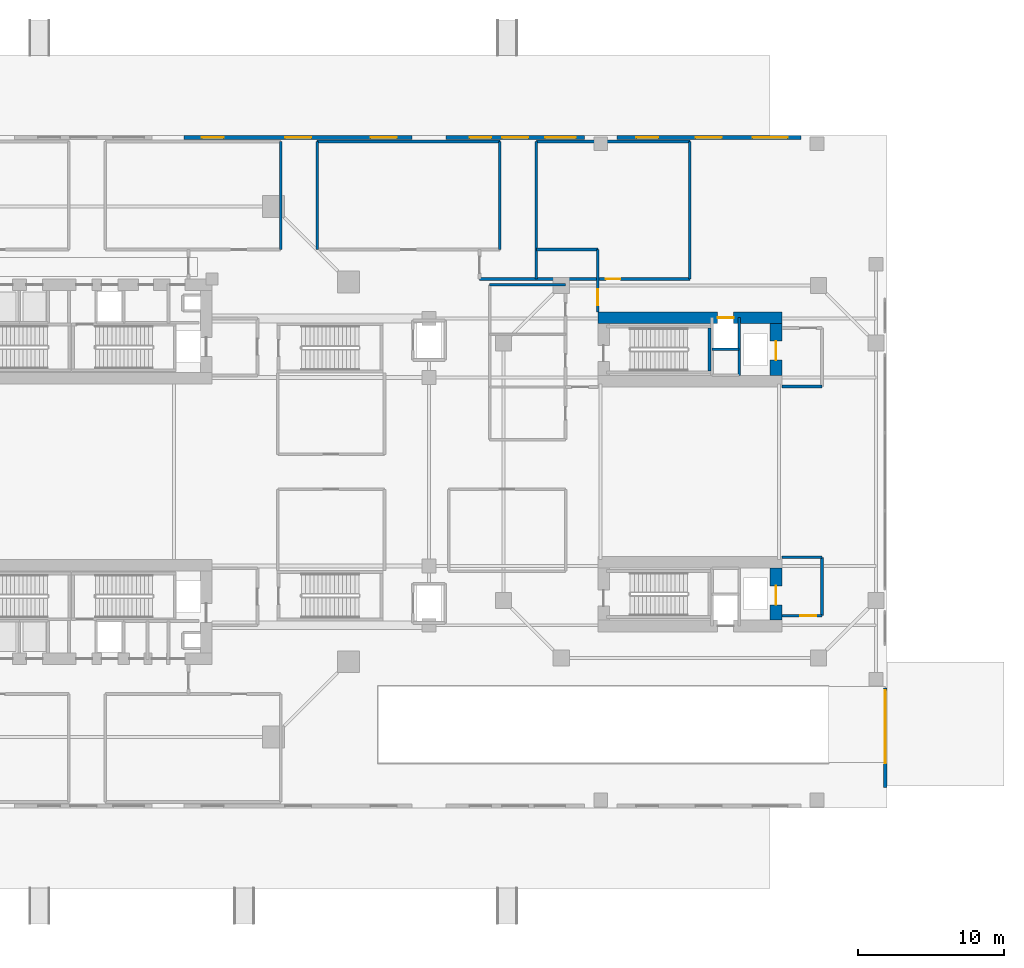
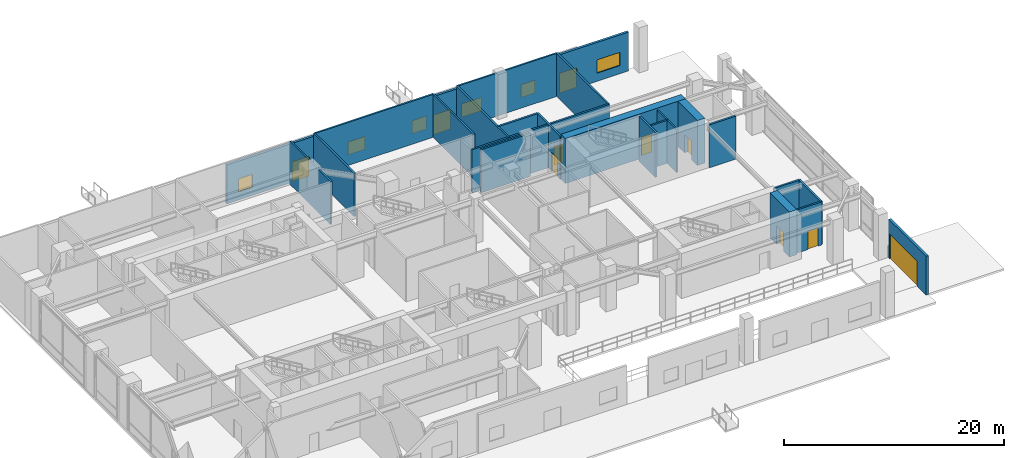
# One storey, part 12 of 18: 25 walls, 10 doors, 6 windows, 16 openings.
"""IFC4 building model written with IfcOpenShell, lengths in metres."""

from ifc_helpers import new_model, si_unit, direction, frame, frame_2d, origin, place, context, subcontext, project, spatial, rectangle, extrude, source, transform, mapped, material, layer, layer_set, type_object, element, fill, save


model = new_model("IFC4")

# Units and contexts
model_context = context("Model", 3, precision=1e-05, world=origin(), true_north=direction((0.0, 1.0)))
body_context = subcontext(model_context, "Body", "Model", "MODEL_VIEW")
ifc_project = project(units=[si_unit("LENGTHUNIT", "METRE"), si_unit("AREAUNIT", "SQUARE_METRE"), si_unit("VOLUMEUNIT", "CUBIC_METRE"), si_unit("PLANEANGLEUNIT", "RADIAN"), si_unit("MASSUNIT", "GRAM", prefix="KILO"), si_unit("THERMODYNAMICTEMPERATUREUNIT", "KELVIN"), si_unit("POWERUNIT", "WATT")], contexts=[model_context])

# Site, building, storey
site_placement = place(None, origin())
site = spatial("IfcSite", under=ifc_project, at=site_placement, CompositionType="ELEMENT")
building_placement = place(site_placement, origin())
building = spatial("IfcBuilding", under=site, at=building_placement, Name="Qiaomeng Ring Towers", CompositionType="ELEMENT")
storey_placement = place(building_placement, origin())
storey = spatial("IfcBuildingStorey", under=building, at=storey_placement, Name="L00", CompositionType="ELEMENT", Elevation=0.0)

# Wall, openings, door, windows
ifc_material_1 = material(Name="Precast concrete C40", Category="concrete")
ifc_layer_1 = layer(ifc_material_1, 0.25, Name="Precast concrete C40")
ifc_layer_set_1 = layer_set([ifc_layer_1], Name="Precast concrete C40")
wall_type_1 = type_object("IfcWallType", Name="ARC-WL-EW1", PredefinedType="STANDARD", material=ifc_layer_set_1)
wall_1_placement = place(storey_placement, frame((25.89990234375, 45.875, 0.0), z_axis=(0.0, 0.0, 1.0), x_axis=(1.0, 0.0, 0.0)))
wall_1 = element("IfcWall", 1, at=wall_1_placement, inside=storey, type_object=wall_type_1, Name="L00 North Facade Wall N3", PredefinedType="STANDARD", context=body_context, shape_type="SweptSolid", body=[
    extrude(rectangle(XDim=15.60009765625, YDim=0.25, at=frame_2d((7.800048828125, 0.0))), origin(), (0.0, 0.0, 1.0), 4.320068359375),
])
opening_1_placement = place(wall_1_placement, frame((6.89990234375, 0.0, 0.0)))
opening_1 = element("IfcOpeningElement", 2, at=opening_1_placement, cuts=wall_1, Name="Opening ED1", PredefinedType="OPENING", context=body_context, shape_type="SweptSolid", body=[
    extrude(rectangle(XDim=1.800048828125, YDim=2.199951171875, at=frame_2d((0.89990234375, 1.10009765625))), frame((0.0, 0.135009765625, 0.0), z_axis=(0.0, -1.0, 0.0), x_axis=(1.0, 0.0, 0.0)), (0.0, 0.0, 1.0), 0.27001953125),
])
opening_2_placement = place(wall_1_placement, frame((1.199951171875, 0.0, 0.89990234375)))
opening_2 = element("IfcOpeningElement", 3, at=opening_2_placement, cuts=wall_1, Name="Opening WN2", PredefinedType="OPENING", context=body_context, shape_type="SweptSolid", body=[
    extrude(rectangle(XDim=1.5, YDim=1.449951171875, at=frame_2d((0.75, 0.72509765625))), frame((0.0, 0.135009765625, 0.0), z_axis=(0.0, -1.0, 0.0), x_axis=(1.0, 0.0, 0.0)), (0.0, 0.0, 1.0), 0.27001953125),
])
opening_3_placement = place(wall_1_placement, frame((12.75, 0.0, 0.89990234375)))
opening_3 = element("IfcOpeningElement", 4, at=opening_3_placement, cuts=wall_1, Name="Opening WN1", PredefinedType="OPENING", context=body_context, shape_type="SweptSolid", body=[
    extrude(rectangle(XDim=1.800048828125, YDim=1.449951171875, at=frame_2d((0.89990234375, 0.72509765625))), frame((0.0, 0.135009765625, 0.0), z_axis=(0.0, -1.0, 0.0), x_axis=(1.0, 0.0, 0.0)), (0.0, 0.0, 1.0), 0.27001953125),
])
ifc_material_2 = material(Name="Fluorocarbon dark-grey aluminium", Category="aluminium")
door_type_1 = type_object("IfcDoorType", Name="ARC-DR-ED1", OperationType="NOTDEFINED", PredefinedType="DOOR", material=ifc_material_2)
shared_shape_1 = source(origin(), body_context, "Body", "SweptSolid", [
    extrude(rectangle(XDim=1.800048828125, YDim=2.199951171875, at=frame_2d((0.89990234375, 1.10009765625))), frame((0.0, 0.02490234375, 0.0), z_axis=(0.0, -1.0, 0.0), x_axis=(1.0, 0.0, 0.0)), (0.0, 0.0, 1.0), 0.050048828125),
])
door_1_placement = place(opening_1_placement, origin())
door_1 = element("IfcDoor", 5, at=door_1_placement, inside=storey, type_object=door_type_1, Name="Ground Final Exit Double Door ED08", OperationType="DOUBLE_DOOR_SINGLE_SWING", OverallHeight=2.199951171875, OverallWidth=1.800048828125, PredefinedType="DOOR", context=body_context, shape_type="MappedRepresentation", body=[
    mapped(shared_shape_1, transform((0.0, 0.0, 0.0), x_axis=(1.0, 0.0, 0.0), y_axis=(0.0, 1.0, 0.0), z_axis=(0.0, 0.0, 1.0), scale=1.0)),
])
fill(opening_1, door_1)
ifc_material_3 = material(Name="Low-E dark-grey laminated double glazing", Category="glass")
window_type_1 = type_object("IfcWindowType", Name="ARC-WN-2", PartitioningType="DOUBLE_PANEL_VERTICAL", PredefinedType="WINDOW", material=ifc_material_3)
shared_shape_2 = source(origin(), body_context, "Body", "SweptSolid", [
    extrude(rectangle(XDim=1.5, YDim=1.449951171875, at=frame_2d((0.75, 0.72509765625))), frame((0.0, 0.030029296875, 0.0), z_axis=(0.0, -1.0, 0.0), x_axis=(1.0, 0.0, 0.0)), (0.0, 0.0, 1.0), 0.06005859375),
])
window_1_placement = place(opening_2_placement, origin())
window_1 = element("IfcWindow", 6, at=window_1_placement, inside=storey, type_object=window_type_1, Name="L00 Exterior Window WN2", OverallHeight=1.449951171875, OverallWidth=1.5, PartitioningType="DOUBLE_PANEL_VERTICAL", PredefinedType="WINDOW", context=body_context, shape_type="MappedRepresentation", body=[
    mapped(shared_shape_2, transform((0.0, 0.0, 0.0), x_axis=(1.0, 0.0, 0.0), y_axis=(0.0, 1.0, 0.0), z_axis=(0.0, 0.0, 1.0), scale=1.0)),
])
fill(opening_2, window_1)
window_type_2 = type_object("IfcWindowType", Name="ARC-WN-1", PartitioningType="DOUBLE_PANEL_VERTICAL", PredefinedType="WINDOW", material=ifc_material_3)
shared_shape_3 = source(origin(), body_context, "Body", "SweptSolid", [
    extrude(rectangle(XDim=1.800048828125, YDim=1.449951171875, at=frame_2d((0.89990234375, 0.72509765625))), frame((0.0, 0.030029296875, 0.0), z_axis=(0.0, -1.0, 0.0), x_axis=(1.0, 0.0, 0.0)), (0.0, 0.0, 1.0), 0.06005859375),
])
window_2_placement = place(opening_3_placement, origin())
window_2 = element("IfcWindow", 7, at=window_2_placement, inside=storey, type_object=window_type_2, Name="L00 Exterior Window WN1", OverallHeight=1.449951171875, OverallWidth=1.800048828125, PartitioningType="DOUBLE_PANEL_VERTICAL", PredefinedType="WINDOW", context=body_context, shape_type="MappedRepresentation", body=[
    mapped(shared_shape_3, transform((0.0, 0.0, 0.0), x_axis=(1.0, 0.0, 0.0), y_axis=(0.0, 1.0, 0.0), z_axis=(0.0, 0.0, 1.0), scale=1.0)),
])
fill(opening_3, window_2)

wall_2_placement = place(storey_placement, frame((43.800048828125, 45.875, 0.0), z_axis=(0.0, 0.0, 1.0), x_axis=(1.0, 0.0, 0.0)))
wall_2 = element("IfcWall", 8, at=wall_2_placement, inside=storey, type_object=wall_type_1, Name="L00 North Facade Wall N4", PredefinedType="STANDARD", context=body_context, shape_type="SweptSolid", body=[
    extrude(rectangle(XDim=9.5, YDim=0.25, at=frame_2d((4.75, 0.0))), origin(), (0.0, 0.0, 1.0), 4.320068359375),
])
opening_4_placement = place(wall_2_placement, frame((3.85009765625, 0.0, 0.0)))
opening_4 = element("IfcOpeningElement", 9, at=opening_4_placement, cuts=wall_2, Name="Opening ED1", PredefinedType="OPENING", context=body_context, shape_type="SweptSolid", body=[
    extrude(rectangle(XDim=1.800048828125, YDim=2.199951171875, at=frame_2d((0.89990234375, 1.10009765625))), frame((0.0, 0.135009765625, 0.0), z_axis=(0.0, -1.0, 0.0), x_axis=(1.0, 0.0, 0.0)), (0.0, 0.0, 1.0), 0.27001953125),
])
opening_5_placement = place(wall_2_placement, frame((1.625, 0.0, 0.89990234375)))
opening_5 = element("IfcOpeningElement", 10, at=opening_5_placement, cuts=wall_2, Name="Opening WN2", PredefinedType="OPENING", context=body_context, shape_type="SweptSolid", body=[
    extrude(rectangle(XDim=1.5, YDim=1.449951171875, at=frame_2d((0.75, 0.72509765625))), frame((0.0, 0.135009765625, 0.0), z_axis=(0.0, -1.0, 0.0), x_axis=(1.0, 0.0, 0.0)), (0.0, 0.0, 1.0), 0.27001953125),
])
opening_6_placement = place(wall_2_placement, frame((6.800048828125, 0.0, 0.89990234375)))
opening_6 = element("IfcOpeningElement", 11, at=opening_6_placement, cuts=wall_2, Name="Opening WN4", PredefinedType="OPENING", context=body_context, shape_type="SweptSolid", body=[
    extrude(rectangle(XDim=2.10009765625, YDim=1.5, at=frame_2d((1.050048828125, 0.75))), frame((0.0, 0.135009765625, 0.0), z_axis=(0.0, -1.0, 0.0), x_axis=(1.0, 0.0, 0.0)), (0.0, 0.0, 1.0), 0.27001953125),
])
door_2_placement = place(opening_4_placement, origin())
door_2 = element("IfcDoor", 12, at=door_2_placement, inside=storey, type_object=door_type_1, Name="Ground Final Exit Double Door ED09", OperationType="DOUBLE_DOOR_SINGLE_SWING", OverallHeight=2.199951171875, OverallWidth=1.800048828125, PredefinedType="DOOR", context=body_context, shape_type="MappedRepresentation", body=[
    mapped(shared_shape_1, transform((0.0, 0.0, 0.0), x_axis=(1.0, 0.0, 0.0), y_axis=(0.0, 1.0, 0.0), z_axis=(0.0, 0.0, 1.0), scale=1.0)),
])
fill(opening_4, door_2)
window_3_placement = place(opening_5_placement, origin())
window_3 = element("IfcWindow", 13, at=window_3_placement, inside=storey, type_object=window_type_1, Name="L00 Exterior Window WN2", OverallHeight=1.449951171875, OverallWidth=1.5, PartitioningType="DOUBLE_PANEL_VERTICAL", PredefinedType="WINDOW", context=body_context, shape_type="MappedRepresentation", body=[
    mapped(shared_shape_2, transform((0.0, 0.0, 0.0), x_axis=(1.0, 0.0, 0.0), y_axis=(0.0, 1.0, 0.0), z_axis=(0.0, 0.0, 1.0), scale=1.0)),
])
fill(opening_5, window_3)
window_type_3 = type_object("IfcWindowType", Name="ARC-WN-4", PartitioningType="TRIPLE_PANEL_VERTICAL", PredefinedType="WINDOW", material=ifc_material_3)
shared_shape_4 = source(origin(), body_context, "Body", "SweptSolid", [
    extrude(rectangle(XDim=2.10009765625, YDim=1.5, at=frame_2d((1.050048828125, 0.75))), frame((0.0, 0.030029296875, 0.0), z_axis=(0.0, -1.0, 0.0), x_axis=(1.0, 0.0, 0.0)), (0.0, 0.0, 1.0), 0.06005859375),
])
window_4_placement = place(opening_6_placement, origin())
window_4 = element("IfcWindow", 14, at=window_4_placement, inside=storey, type_object=window_type_3, Name="L00 Exterior Window WN4", OverallHeight=1.5, OverallWidth=2.10009765625, PartitioningType="TRIPLE_PANEL_VERTICAL", PredefinedType="WINDOW", context=body_context, shape_type="MappedRepresentation", body=[
    mapped(shared_shape_4, transform((0.0, 0.0, 0.0), x_axis=(1.0, 0.0, 0.0), y_axis=(0.0, 1.0, 0.0), z_axis=(0.0, 0.0, 1.0), scale=1.0)),
])
fill(opening_6, window_4)

wall_3_placement = place(storey_placement, frame((55.5, 45.875, 0.0), z_axis=(0.0, 0.0, 1.0), x_axis=(1.0, 0.0, 0.0)))
wall_3 = element("IfcWall", 15, at=wall_3_placement, inside=storey, type_object=wall_type_1, Name="L00 North Facade Wall N5", PredefinedType="STANDARD", context=body_context, shape_type="SweptSolid", body=[
    extrude(rectangle(XDim=12.60009765625, YDim=0.25, at=frame_2d((6.300048828125, 0.0))), origin(), (0.0, 0.0, 1.0), 4.320068359375),
])
opening_7_placement = place(wall_3_placement, frame((5.39990234375, 0.0, 0.0)))
opening_7 = element("IfcOpeningElement", 16, at=opening_7_placement, cuts=wall_3, Name="Opening ED1", PredefinedType="OPENING", context=body_context, shape_type="SweptSolid", body=[
    extrude(rectangle(XDim=1.800048828125, YDim=2.199951171875, at=frame_2d((0.89990234375, 1.10009765625))), frame((0.0, 0.135009765625, 0.0), z_axis=(0.0, -1.0, 0.0), x_axis=(1.0, 0.0, 0.0)), (0.0, 0.0, 1.0), 0.27001953125),
])
opening_8_placement = place(wall_3_placement, frame((1.35009765625, 0.0, 0.89990234375)))
opening_8 = element("IfcOpeningElement", 17, at=opening_8_placement, cuts=wall_3, Name="Opening WN2", PredefinedType="OPENING", context=body_context, shape_type="SweptSolid", body=[
    extrude(rectangle(XDim=1.5, YDim=1.449951171875, at=frame_2d((0.75, 0.72509765625))), frame((0.0, 0.135009765625, 0.0), z_axis=(0.0, -1.0, 0.0), x_axis=(1.0, 0.0, 0.0)), (0.0, 0.0, 1.0), 0.27001953125),
])
opening_9_placement = place(wall_3_placement, frame((9.300048828125, 0.0, 0.89990234375)))
opening_9 = element("IfcOpeningElement", 18, at=opening_9_placement, cuts=wall_3, Name="Opening WN6", PredefinedType="OPENING", context=body_context, shape_type="SweptSolid", body=[
    extrude(rectangle(XDim=2.39990234375, YDim=1.47998046875, at=frame_2d((1.199951171875, 0.739990234375))), frame((0.0, 0.135009765625, 0.0), z_axis=(0.0, -1.0, 0.0), x_axis=(1.0, 0.0, 0.0)), (0.0, 0.0, 1.0), 0.27001953125),
])
door_3_placement = place(opening_7_placement, origin())
door_3 = element("IfcDoor", 19, at=door_3_placement, inside=storey, type_object=door_type_1, Name="Ground Final Exit Double Door ED10", OperationType="DOUBLE_DOOR_SINGLE_SWING", OverallHeight=2.199951171875, OverallWidth=1.800048828125, PredefinedType="DOOR", context=body_context, shape_type="MappedRepresentation", body=[
    mapped(shared_shape_1, transform((0.0, 0.0, 0.0), x_axis=(1.0, 0.0, 0.0), y_axis=(0.0, 1.0, 0.0), z_axis=(0.0, 0.0, 1.0), scale=1.0)),
])
fill(opening_7, door_3)
window_5_placement = place(opening_8_placement, origin())
window_5 = element("IfcWindow", 20, at=window_5_placement, inside=storey, type_object=window_type_1, Name="L00 Exterior Window WN2", OverallHeight=1.449951171875, OverallWidth=1.5, PartitioningType="DOUBLE_PANEL_VERTICAL", PredefinedType="WINDOW", context=body_context, shape_type="MappedRepresentation", body=[
    mapped(shared_shape_2, transform((0.0, 0.0, 0.0), x_axis=(1.0, 0.0, 0.0), y_axis=(0.0, 1.0, 0.0), z_axis=(0.0, 0.0, 1.0), scale=1.0)),
])
fill(opening_8, window_5)
window_type_4 = type_object("IfcWindowType", Name="ARC-WN-6", PartitioningType="TRIPLE_PANEL_VERTICAL", PredefinedType="WINDOW", material=ifc_material_3)
shared_shape_5 = source(origin(), body_context, "Body", "SweptSolid", [
    extrude(rectangle(XDim=2.39990234375, YDim=1.47998046875, at=frame_2d((1.199951171875, 0.739990234375))), frame((0.0, 0.030029296875, 0.0), z_axis=(0.0, -1.0, 0.0), x_axis=(1.0, 0.0, 0.0)), (0.0, 0.0, 1.0), 0.06005859375),
])
window_6_placement = place(opening_9_placement, origin())
window_6 = element("IfcWindow", 21, at=window_6_placement, inside=storey, type_object=window_type_4, Name="L00 Exterior Window WN6", OverallHeight=1.47998046875, OverallWidth=2.39990234375, PartitioningType="TRIPLE_PANEL_VERTICAL", PredefinedType="WINDOW", context=body_context, shape_type="MappedRepresentation", body=[
    mapped(shared_shape_5, transform((0.0, 0.0, 0.0), x_axis=(1.0, 0.0, 0.0), y_axis=(0.0, 1.0, 0.0), z_axis=(0.0, 0.0, 1.0), scale=1.0)),
])
fill(opening_9, window_6)

# Wall, opening, door
wall_4_placement = place(storey_placement, frame((73.875, 8.199951171875, 0.0), z_axis=(0.0, 0.0, 1.0), x_axis=(0.0, -1.0, 0.0)))
wall_4 = element("IfcWall", 22, at=wall_4_placement, inside=storey, type_object=wall_type_1, Name="L00 East Car Park Ramp Facade Wall", PredefinedType="STANDARD", context=body_context, shape_type="SweptSolid", body=[
    extrude(rectangle(XDim=6.800048828125, YDim=0.25, at=frame_2d((3.39990234375, 0.0))), origin(), (0.0, 0.0, 1.0), 4.320068359375),
])
opening_10_placement = place(wall_4_placement, frame((0.14990234375, 0.0, 0.0)))
opening_10 = element("IfcOpeningElement", 23, at=opening_10_placement, cuts=wall_4, Name="Opening SH1", PredefinedType="OPENING", context=body_context, shape_type="SweptSolid", body=[
    extrude(rectangle(XDim=5.0, YDim=2.800048828125, at=frame_2d((2.5, 1.39990234375))), frame((0.0, 0.135009765625, 0.0), z_axis=(0.0, -1.0, 0.0), x_axis=(1.0, 0.0, 0.0)), (0.0, 0.0, 1.0), 0.27001953125),
])
ifc_material_4 = material(Name="Galvanised steel", Category="steel")
door_type_2 = type_object("IfcDoorType", Name="ARC-DR-SH1", OperationType="NOTDEFINED", PredefinedType="GATE", material=ifc_material_4)
shared_shape_6 = source(origin(), body_context, "Body", "SweptSolid", [
    extrude(rectangle(XDim=5.0, YDim=2.800048828125, at=frame_2d((2.5, 1.39990234375))), frame((0.0, 0.02490234375, 0.0), z_axis=(0.0, -1.0, 0.0), x_axis=(1.0, 0.0, 0.0)), (0.0, 0.0, 1.0), 0.050048828125),
])
door_4_placement = place(opening_10_placement, origin())
door_4 = element("IfcDoor", 24, at=door_4_placement, inside=storey, type_object=door_type_2, Name="Ground Car Park Ramp R1 Exit Roller Shutter SH1", OperationType="ROLLINGUP", OverallHeight=2.800048828125, OverallWidth=5.0, PredefinedType="GATE", context=body_context, shape_type="MappedRepresentation", body=[
    mapped(shared_shape_6, transform((0.0, 0.0, 0.0), x_axis=(1.0, 0.0, 0.0), y_axis=(0.0, 1.0, 0.0), z_axis=(0.0, 0.0, 1.0), scale=1.0)),
])
fill(opening_10, door_4)

# Walls
ifc_material_5 = material(Name="Autoclaved aerated concrete block", Category="concrete")
ifc_layer_2 = layer(ifc_material_5, 0.199951171875, Name="Autoclaved aerated concrete block")
ifc_layer_set_2 = layer_set([ifc_layer_2], Name="Autoclaved aerated concrete block")
wall_type_2 = type_object("IfcWallType", Name="ARC-WL-PW1", PredefinedType="PARTITIONING", material=ifc_layer_set_2)
for number, where, z_axis, x_axis, name in (
    (25, (66.800048828125, 28.85009765625, 0.0), (0.0, 0.0, 1.0), (1.0, 0.0, 0.0), "L00 Interior Wall PW1"),
    (26, (66.800048828125, 17.14990234375, 0.0), (0.0, 0.0, 1.0), (1.0, 0.0, 0.0), "L00 Interior Wall PW1"),
):
    element("IfcWall", number, at=place(storey_placement, frame(where, z_axis=z_axis, x_axis=x_axis)), inside=storey, type_object=wall_type_2, Name=name, PredefinedType="PARTITIONING", context=body_context, shape_type="SweptSolid", body=[
        extrude(rectangle(XDim=2.75, YDim=0.199951171875, at=frame_2d((1.375, 0.0))), origin(), (0.0, 0.0, 1.0), 4.780029296875),
    ])
wall_5_placement = place(storey_placement, frame((69.550048828125, 13.14990234375, 0.0), z_axis=(0.0, 0.0, 1.0), x_axis=(0.0, 1.0, 0.0)))
element("IfcWall", 27, at=wall_5_placement, inside=storey, type_object=wall_type_2, Name="L00 Interior Wall PW1", PredefinedType="PARTITIONING", context=body_context, shape_type="SweptSolid", body=[
    extrude(rectangle(XDim=4.0, YDim=0.199951171875, at=frame_2d((2.0, 0.0))), origin(), (0.0, 0.0, 1.0), 4.780029296875),
])

# Wall, opening, door
wall_6_placement = place(storey_placement, frame((66.800048828125, 13.14990234375, 0.0), z_axis=(0.0, 0.0, 1.0), x_axis=(1.0, 0.0, 0.0)))
wall_6 = element("IfcWall", 28, at=wall_6_placement, inside=storey, type_object=wall_type_2, Name="L00 Interior Wall PW1", PredefinedType="PARTITIONING", context=body_context, shape_type="SweptSolid", body=[
    extrude(rectangle(XDim=2.75, YDim=0.199951171875, at=frame_2d((1.375, 0.0))), origin(), (0.0, 0.0, 1.0), 4.780029296875),
])
opening_11_placement = place(wall_6_placement, frame((1.25, 0.0, 0.0)))
opening_11 = element("IfcOpeningElement", 29, at=opening_11_placement, cuts=wall_6, Name="Opening FD3", PredefinedType="OPENING", context=body_context, shape_type="SweptSolid", body=[
    extrude(rectangle(XDim=1.10009765625, YDim=2.050048828125, at=frame_2d((0.550048828125, 1.02490234375))), frame((0.0, 0.10986328125, 0.0), z_axis=(0.0, -1.0, 0.0), x_axis=(1.0, 0.0, 0.0)), (0.0, 0.0, 1.0), 0.219970703125),
])
door_type_3 = type_object("IfcDoorType", Name="ARC-DR-FD3", OperationType="NOTDEFINED", PredefinedType="DOOR", material=ifc_material_4)
shared_shape_7 = source(origin(), body_context, "Body", "SweptSolid", [
    extrude(rectangle(XDim=1.10009765625, YDim=2.050048828125, at=frame_2d((0.550048828125, 1.02490234375))), frame((0.0, 0.02490234375, 0.0), z_axis=(0.0, -1.0, 0.0), x_axis=(1.0, 0.0, 0.0)), (0.0, 0.0, 1.0), 0.050048828125),
])
door_5_placement = place(opening_11_placement, origin())
door_5 = element("IfcDoor", 30, at=door_5_placement, inside=storey, type_object=door_type_3, Name="L00 Door FD3", OperationType="SINGLE_SWING_RIGHT", OverallHeight=2.050048828125, OverallWidth=1.10009765625, PredefinedType="DOOR", context=body_context, shape_type="MappedRepresentation", body=[
    mapped(shared_shape_7, transform((0.0, 0.0, 0.0), x_axis=(1.0, 0.0, 0.0), y_axis=(0.0, 1.0, 0.0), z_axis=(0.0, 0.0, 1.0), scale=1.0)),
])
fill(opening_11, door_5)

wall_7_placement = place(storey_placement, frame((54.199951171875, 33.949951171875, 0.0), z_axis=(0.0, 0.0, 1.0), x_axis=(0.0, 1.0, 0.0)))
wall_7 = element("IfcWall", 31, at=wall_7_placement, inside=storey, type_object=wall_type_2, Name="L00 Interior Wall PW1", PredefinedType="PARTITIONING", context=body_context, shape_type="SweptSolid", body=[
    extrude(rectangle(XDim=4.25, YDim=0.199951171875, at=frame_2d((2.125, 0.0))), origin(), (0.0, 0.0, 1.0), 4.780029296875),
])
opening_12_placement = place(wall_7_placement, frame((0.449951171875, 0.0, 0.0)))
opening_12 = element("IfcOpeningElement", 32, at=opening_12_placement, cuts=wall_7, Name="Opening FD3", PredefinedType="OPENING", context=body_context, shape_type="SweptSolid", body=[
    extrude(rectangle(XDim=1.10009765625, YDim=2.050048828125, at=frame_2d((0.550048828125, 1.02490234375))), frame((0.0, 0.10986328125, 0.0), z_axis=(0.0, -1.0, 0.0), x_axis=(1.0, 0.0, 0.0)), (0.0, 0.0, 1.0), 0.219970703125),
])
door_6_placement = place(opening_12_placement, origin())
door_6 = element("IfcDoor", 33, at=door_6_placement, inside=storey, type_object=door_type_3, Name="L00 Door FD3", OperationType="SINGLE_SWING_LEFT", OverallHeight=2.050048828125, OverallWidth=1.10009765625, PredefinedType="DOOR", context=body_context, shape_type="MappedRepresentation", body=[
    mapped(shared_shape_7, transform((0.0, 0.0, 0.0), x_axis=(1.0, 0.0, 0.0), y_axis=(0.0, 1.0, 0.0), z_axis=(0.0, 0.0, 1.0), scale=1.0)),
])
fill(opening_12, door_6)

wall_8_placement = place(storey_placement, frame((46.10009765625, 36.199951171875, 0.0), z_axis=(0.0, 0.0, 1.0), x_axis=(1.0, 0.0, 0.0)))
wall_8 = element("IfcWall", 34, at=wall_8_placement, inside=storey, type_object=wall_type_2, Name="L00 Interior Wall PW1", PredefinedType="PARTITIONING", context=body_context, shape_type="SweptSolid", body=[
    extrude(rectangle(XDim=14.39990234375, YDim=0.199951171875, at=frame_2d((7.199951171875, 0.0))), origin(), (0.0, 0.0, 1.0), 4.780029296875),
])
opening_13_placement = place(wall_8_placement, frame((8.64990234375, 0.0, 0.0)))
opening_13 = element("IfcOpeningElement", 35, at=opening_13_placement, cuts=wall_8, Name="Opening FD4", PredefinedType="OPENING", context=body_context, shape_type="SweptSolid", body=[
    extrude(rectangle(XDim=1.0, YDim=2.050048828125, at=frame_2d((0.5, 1.02490234375))), frame((0.0, 0.10986328125, 0.0), z_axis=(0.0, -1.0, 0.0), x_axis=(1.0, 0.0, 0.0)), (0.0, 0.0, 1.0), 0.219970703125),
])
ifc_material_6 = material(Name="Engineered fire-rated oak timber", Category="wood")
door_type_4 = type_object("IfcDoorType", Name="ARC-DR-FD4", OperationType="NOTDEFINED", PredefinedType="DOOR", material=ifc_material_6)
shared_shape_8 = source(origin(), body_context, "Body", "SweptSolid", [
    extrude(rectangle(XDim=1.0, YDim=2.050048828125, at=frame_2d((0.5, 1.02490234375))), frame((0.0, 0.02490234375, 0.0), z_axis=(0.0, -1.0, 0.0), x_axis=(1.0, 0.0, 0.0)), (0.0, 0.0, 1.0), 0.050048828125),
])
door_7_placement = place(opening_13_placement, origin())
door_7 = element("IfcDoor", 36, at=door_7_placement, inside=storey, type_object=door_type_4, Name="L00 Companion Reception Office Door", OperationType="SINGLE_SWING_LEFT", OverallHeight=2.050048828125, OverallWidth=1.0, PredefinedType="DOOR", context=body_context, shape_type="MappedRepresentation", body=[
    mapped(shared_shape_8, transform((0.0, 0.0, 0.0), x_axis=(1.0, 0.0, 0.0), y_axis=(0.0, 1.0, 0.0), z_axis=(0.0, 0.0, 1.0), scale=1.0)),
])
fill(opening_13, door_7)

# Walls
wall_9_placement = place(storey_placement, frame((50.0, 38.199951171875, 0.0), z_axis=(0.0, 0.0, 1.0), x_axis=(1.0, 0.0, 0.0)))
element("IfcWall", 37, at=wall_9_placement, inside=storey, type_object=wall_type_2, Name="L00 Interior Wall PW1", PredefinedType="PARTITIONING", context=body_context, shape_type="SweptSolid", body=[
    extrude(rectangle(XDim=4.199951171875, YDim=0.199951171875, at=frame_2d((2.10009765625, 0.0))), origin(), (0.0, 0.0, 1.0), 4.780029296875),
])
ifc_layer_3 = layer(ifc_material_5, 0.179931640625, Name="Autoclaved aerated concrete block")
ifc_layer_set_3 = layer_set([ifc_layer_3], Name="Autoclaved aerated concrete block")
wall_type_3 = type_object("IfcWallType", Name="ARC-WL-PW2", PredefinedType="PARTITIONING", material=ifc_layer_set_3)
wall_10_placement = place(storey_placement, frame((46.800048828125, 35.800048828125, 0.0), z_axis=(0.0, 0.0, 1.0), x_axis=(1.0, 0.0, 0.0)))
element("IfcWall", 38, at=wall_10_placement, inside=storey, type_object=wall_type_3, Name="L00 Interior Wall PW2", PredefinedType="PARTITIONING", context=body_context, shape_type="SweptSolid", body=[
    extrude(rectangle(XDim=5.199951171875, YDim=0.179931640625, at=frame_2d((2.60009765625, 0.0))), origin(), (0.0, 0.0, 1.0), 4.780029296875),
])
wall_11_placement = place(storey_placement, frame((32.5, 38.199951171875, 0.0), z_axis=(0.0, 0.0, 1.0), x_axis=(0.0, 1.0, 0.0)))
element("IfcWall", 39, at=wall_11_placement, inside=storey, type_object=wall_type_3, Name="L00 Interior Wall PW2", PredefinedType="PARTITIONING", context=body_context, shape_type="SweptSolid", body=[
    extrude(rectangle(XDim=7.400146484375, YDim=0.179931640625, at=frame_2d((3.7001953125, 0.0))), origin(), (0.0, 0.0, 1.0), 4.780029296875),
])
wall_12_placement = place(storey_placement, frame((35.0, 45.60009765625, 0.0), z_axis=(0.0, 0.0, 1.0), x_axis=(1.0, 0.0, 0.0)))
element("IfcWall", 40, at=wall_12_placement, inside=storey, type_object=wall_type_3, Name="L00 Interior Wall PW2", PredefinedType="PARTITIONING", context=body_context, shape_type="SweptSolid", body=[
    extrude(rectangle(XDim=12.5, YDim=0.179931640625, at=frame_2d((6.25, 0.0))), origin(), (0.0, 0.0, 1.0), 4.780029296875),
])
for number, where, z_axis, x_axis, name in (
    (41, (35.0, 38.199951171875, 0.0), (0.0, 0.0, 1.0), (0.0, 1.0, 0.0), "L00 Interior Wall PW2"),
    (42, (47.5, 38.199951171875, 0.0), (0.0, 0.0, 1.0), (0.0, 1.0, 0.0), "L00 Interior Wall PW2"),
):
    element("IfcWall", number, at=place(storey_placement, frame(where, z_axis=z_axis, x_axis=x_axis)), inside=storey, type_object=wall_type_3, Name=name, PredefinedType="PARTITIONING", context=body_context, shape_type="SweptSolid", body=[
        extrude(rectangle(XDim=7.400146484375, YDim=0.179931640625, at=frame_2d((3.7001953125, 0.0))), origin(), (0.0, 0.0, 1.0), 4.780029296875),
    ])
wall_13_placement = place(storey_placement, frame((50.0, 45.60009765625, 0.0), z_axis=(0.0, 0.0, 1.0), x_axis=(1.0, 0.0, 0.0)))
element("IfcWall", 43, at=wall_13_placement, inside=storey, type_object=wall_type_3, Name="L00 Interior Wall PW2", PredefinedType="PARTITIONING", context=body_context, shape_type="SweptSolid", body=[
    extrude(rectangle(XDim=10.5, YDim=0.179931640625, at=frame_2d((5.25, 0.0))), origin(), (0.0, 0.0, 1.0), 4.780029296875),
])
for number, where, z_axis, x_axis, name in (
    (44, (50.0, 36.199951171875, 0.0), (0.0, 0.0, 1.0), (0.0, 1.0, 0.0), "L00 Interior Wall PW2"),
    (45, (60.5, 36.199951171875, 0.0), (0.0, 0.0, 1.0), (0.0, 1.0, 0.0), "L00 Interior Wall PW2"),
):
    element("IfcWall", number, at=place(storey_placement, frame(where, z_axis=z_axis, x_axis=x_axis)), inside=storey, type_object=wall_type_3, Name=name, PredefinedType="PARTITIONING", context=body_context, shape_type="SweptSolid", body=[
        extrude(rectangle(XDim=9.400146484375, YDim=0.179931640625, at=frame_2d((4.7001953125, 0.0))), origin(), (0.0, 0.0, 1.0), 4.780029296875),
    ])
ifc_material_7 = material(Name="Concrete C40", Category="concrete")
ifc_layer_4 = layer(ifc_material_7, 0.199951171875, Name="Concrete C40")
ifc_layer_set_4 = layer_set([ifc_layer_4], Name="Concrete C40")
wall_type_4 = type_object("IfcWallType", Name="STR-WL-STSHAFT", PredefinedType="SHEAR", material=ifc_layer_set_4)
wall_14_placement = place(storey_placement, frame((63.8798828125, 29.60009765625, 0.0), z_axis=(0.0, 0.0, 1.0), x_axis=(0.0, 1.0, 0.0)))
element("IfcWall", 46, at=wall_14_placement, inside=storey, type_object=wall_type_4, Name="L00 Companion Lift Shaft East Wall N", PredefinedType="SHEAR", context=body_context, shape_type="SweptSolid", body=[
    extrude(rectangle(XDim=3.949951171875, YDim=0.179931640625, at=frame_2d((1.97509765625, 0.0))), origin(), (0.0, 0.0, 1.0), 4.780029296875),
])
wall_15_placement = place(storey_placement, frame((62.02001953125, 31.3798828125, 0.0), z_axis=(0.0, 0.0, 1.0), x_axis=(1.0, 0.0, 0.0)))
element("IfcWall", 47, at=wall_15_placement, inside=storey, type_object=wall_type_4, Name="L00 Companion Lift Shaft Divider Wall N", PredefinedType="SHEAR", context=body_context, shape_type="SweptSolid", body=[
    extrude(rectangle(XDim=1.85986328125, YDim=0.179931640625, at=frame_2d((0.929931640625, 0.0))), origin(), (0.0, 0.0, 1.0), 4.780029296875),
])
wall_16_placement = place(storey_placement, frame((61.85009765625, 29.89990234375, 0.0), z_axis=(0.0, 0.0, 1.0), x_axis=(0.0, 1.0, 0.0)))
element("IfcWall", 48, at=wall_16_placement, inside=storey, type_object=wall_type_4, Name="L00 Stair ST5 East Shaft Shear Wall", PredefinedType="SHEAR", context=body_context, shape_type="SweptSolid", body=[
    extrude(rectangle(XDim=2.940185546875, YDim=0.199951171875, at=frame_2d((1.47021484375, 0.0))), origin(), (0.0, 0.0, 1.0), 5.0),
])

# Wall, opening, door
ifc_material_8 = material(Name="Concrete C60", Category="concrete")
ifc_layer_5 = layer(ifc_material_8, 0.800048828125, Name="Concrete C60")
ifc_layer_set_5 = layer_set([ifc_layer_5], Name="Concrete C60")
wall_type_5 = type_object("IfcWallType", Name="STR-WL-SW1", PredefinedType="SHEAR", material=ifc_layer_set_5)
wall_17_placement = place(storey_placement, frame((54.199951171875, 33.550048828125, 0.0), z_axis=(0.0, 0.0, 1.0), x_axis=(1.0, 0.0, 0.0)))
wall_17 = element("IfcWall", 49, at=wall_17_placement, inside=storey, type_object=wall_type_5, Name="L00 T2NC north core shear wall", PredefinedType="SHEAR", context=body_context, shape_type="SweptSolid", body=[
    extrude(rectangle(XDim=12.60009765625, YDim=0.800048828125, at=frame_2d((6.300048828125, 0.0))), origin(), (0.0, 0.0, 1.0), 5.0),
])
opening_14_placement = place(wall_17_placement, frame((8.199951171875, 0.0, 0.0)))
opening_14 = element("IfcOpeningElement", 50, at=opening_14_placement, cuts=wall_17, Name="Opening LD1", PredefinedType="OPENING", context=body_context, shape_type="SweptSolid", body=[
    extrude(rectangle(XDim=1.10009765625, YDim=2.050048828125, at=frame_2d((0.550048828125, 1.02490234375))), frame((0.0, 0.409912109375, 0.0), z_axis=(0.0, -1.0, 0.0), x_axis=(1.0, 0.0, 0.0)), (0.0, 0.0, 1.0), 0.820068359375),
])
ifc_material_9 = material(Name="Stainless steel 316", Category="steel")
door_type_5 = type_object("IfcDoorType", Name="ARC-DR-LD1", OperationType="NOTDEFINED", PredefinedType="DOOR", material=ifc_material_9)
door_8_placement = place(opening_14_placement, origin())
door_8 = element("IfcDoor", 51, at=door_8_placement, inside=storey, type_object=door_type_5, Name="L00 Companion Lift LP7 Landing Door", OperationType="SLIDING_TO_LEFT", OverallHeight=2.050048828125, OverallWidth=1.10009765625, PredefinedType="DOOR", context=body_context, shape_type="MappedRepresentation", body=[
    mapped(shared_shape_7, transform((0.0, 0.0, 0.0), x_axis=(1.0, 0.0, 0.0), y_axis=(0.0, 1.0, 0.0), z_axis=(0.0, 0.0, 1.0), scale=1.0)),
])
fill(opening_14, door_8)

wall_18_placement = place(storey_placement, frame((66.39990234375, 29.60009765625, 0.0), z_axis=(0.0, 0.0, 1.0), x_axis=(0.0, 1.0, 0.0)))
wall_18 = element("IfcWall", 52, at=wall_18_placement, inside=storey, type_object=wall_type_5, Name="L00 T2NC east core shear wall", PredefinedType="SHEAR", context=body_context, shape_type="SweptSolid", body=[
    extrude(rectangle(XDim=3.5498046875, YDim=0.800048828125, at=frame_2d((1.77490234375, 0.0))), origin(), (0.0, 0.0, 1.0), 5.0),
])
opening_15_placement = place(wall_18_placement, frame((1.050048828125, 0.0, 0.0)))
opening_15 = element("IfcOpeningElement", 53, at=opening_15_placement, cuts=wall_18, Name="Opening LD2", PredefinedType="OPENING", context=body_context, shape_type="SweptSolid", body=[
    extrude(rectangle(XDim=1.300048828125, YDim=2.050048828125, at=frame_2d((0.64990234375, 1.02490234375))), frame((0.0, 0.409912109375, 0.0), z_axis=(0.0, -1.0, 0.0), x_axis=(1.0, 0.0, 0.0)), (0.0, 0.0, 1.0), 0.820068359375),
])
door_type_6 = type_object("IfcDoorType", Name="ARC-DR-LD2", OperationType="NOTDEFINED", PredefinedType="DOOR", material=ifc_material_9)
shared_shape_9 = source(origin(), body_context, "Body", "SweptSolid", [
    extrude(rectangle(XDim=1.300048828125, YDim=2.050048828125, at=frame_2d((0.64990234375, 1.02490234375))), frame((0.0, 0.02490234375, 0.0), z_axis=(0.0, -1.0, 0.0), x_axis=(1.0, 0.0, 0.0)), (0.0, 0.0, 1.0), 0.050048828125),
])
door_9_placement = place(opening_15_placement, origin())
door_9 = element("IfcDoor", 54, at=door_9_placement, inside=storey, type_object=door_type_6, Name="L00 Firefighting Lift FL3 Landing Door", OperationType="SLIDING_TO_LEFT", OverallHeight=2.050048828125, OverallWidth=1.300048828125, PredefinedType="DOOR", context=body_context, shape_type="MappedRepresentation", body=[
    mapped(shared_shape_9, transform((0.0, 0.0, 0.0), x_axis=(1.0, 0.0, 0.0), y_axis=(0.0, 1.0, 0.0), z_axis=(0.0, 0.0, 1.0), scale=1.0)),
])
fill(opening_15, door_9)

wall_19_placement = place(storey_placement, frame((66.39990234375, 12.85009765625, 0.0), z_axis=(0.0, 0.0, 1.0), x_axis=(0.0, 1.0, 0.0)))
wall_19 = element("IfcWall", 55, at=wall_19_placement, inside=storey, type_object=wall_type_5, Name="L00 T2SC east core shear wall", PredefinedType="SHEAR", context=body_context, shape_type="SweptSolid", body=[
    extrude(rectangle(XDim=3.5498046875, YDim=0.800048828125, at=frame_2d((1.77490234375, 0.0))), origin(), (0.0, 0.0, 1.0), 5.0),
])
opening_16_placement = place(wall_19_placement, frame((1.050048828125, 0.0, 0.0)))
opening_16 = element("IfcOpeningElement", 56, at=opening_16_placement, cuts=wall_19, Name="Opening LD2", PredefinedType="OPENING", context=body_context, shape_type="SweptSolid", body=[
    extrude(rectangle(XDim=1.300048828125, YDim=2.050048828125, at=frame_2d((0.64990234375, 1.02490234375))), frame((0.0, 0.409912109375, 0.0), z_axis=(0.0, -1.0, 0.0), x_axis=(1.0, 0.0, 0.0)), (0.0, 0.0, 1.0), 0.820068359375),
])
door_10_placement = place(opening_16_placement, origin())
door_10 = element("IfcDoor", 57, at=door_10_placement, inside=storey, type_object=door_type_6, Name="L00 Firefighting Lift FL4 Landing Door", OperationType="SLIDING_TO_RIGHT", OverallHeight=2.050048828125, OverallWidth=1.300048828125, PredefinedType="DOOR", context=body_context, shape_type="MappedRepresentation", body=[
    mapped(shared_shape_9, transform((0.0, 0.0, 0.0), x_axis=(1.0, 0.0, 0.0), y_axis=(0.0, 1.0, 0.0), z_axis=(0.0, 0.0, 1.0), scale=1.0)),
])
fill(opening_16, door_10)

save(model, "model.ifc")
